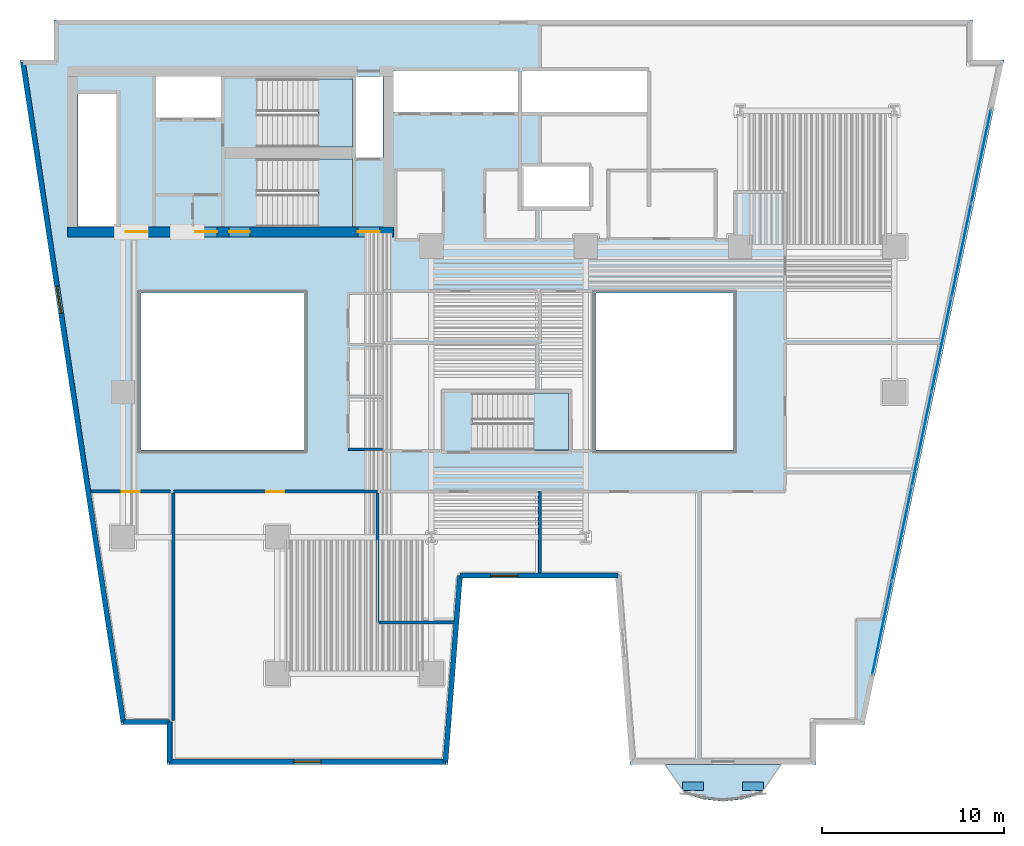
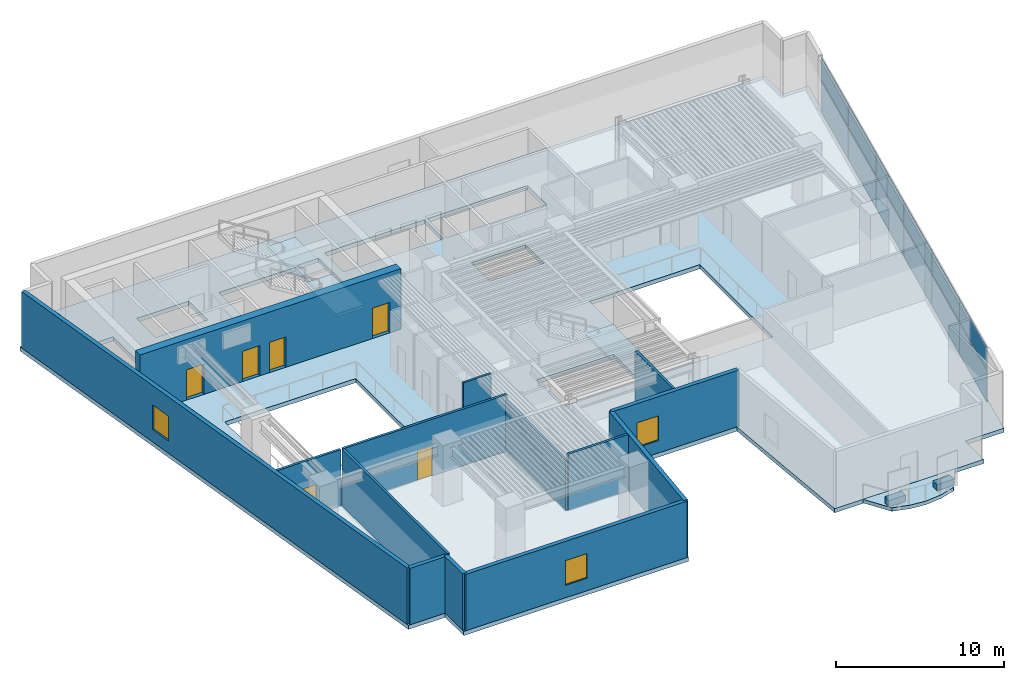
# One storey, part 3 of 11: 14 plates, 14 walls, 6 doors, 5 slabs, 3 windows, 9 openings, 4 elements without a shape of their own.
"""IFC4 building model written with IfcOpenShell, lengths in metres."""

from ifc_helpers import new_model, si_unit, direction, frame, frame_2d, origin, origin_2d, place, context, subcontext, project, spatial, polyline, rectangle, outline, extrude, material, layer, layer_set, type_object, element, fill, aggregate, save


model = new_model("IFC4")

# Units and contexts
model_context = context("Model", 3, precision=1e-05, world=origin(), true_north=direction((0.0, 1.0)))
body_context = subcontext(model_context, "Body", "Model", "MODEL_VIEW")
ifc_project = project(units=[si_unit("LENGTHUNIT", "METRE"), si_unit("AREAUNIT", "SQUARE_METRE"), si_unit("VOLUMEUNIT", "CUBIC_METRE"), si_unit("PLANEANGLEUNIT", "RADIAN"), si_unit("MASSUNIT", "GRAM", prefix="KILO")], contexts=[model_context])

# Site, building, storey
site_placement = place(None, origin())
site = spatial("IfcSite", under=ifc_project, at=site_placement, CompositionType="ELEMENT")
building_placement = place(site_placement, origin())
building = spatial("IfcBuilding", under=site, at=building_placement, Name="Caeloran Harvest Quay", CompositionType="ELEMENT")
storey_placement = place(building_placement, frame((0.0, 0.0, 53.39990234375)))
storey = spatial("IfcBuildingStorey", under=building, at=storey_placement, Name="L12", CompositionType="ELEMENT", Elevation=53.39990234375)

# Slab
ifc_material_1 = material(Name="Concrete C50/60", Category="concrete")
ifc_layer_1 = layer(ifc_material_1, 0.260009765625, Name="Concrete C50/60")
ifc_layer_set_1 = layer_set([ifc_layer_1], Name="Concrete C50/60")
slab_type_1 = type_object("IfcSlabType", Name="BALCONY-BL-260", PredefinedType="FLOOR", material=ifc_layer_set_1)
slab_1_placement = place(storey_placement, frame((0.0, 0.0, -0.260009765625)))
element("IfcSlab", 1, at=slab_1_placement, inside=storey, type_object=slab_type_1, Name="L12 Scalloped Cantilevered Planted Balcony Slab", PredefinedType="FLOOR", context=body_context, shape_type="SweptSolid", body=[
    extrude(outline(polyline([(43.686767578125, 0.876708984375), (42.622802734375, 0.573974609375), (41.55859375, 0.463134765625), (40.494384765625, 0.573974609375), (39.43017578125, 0.876708984375), (38.37890625, 2.5), (44.738037109375, 2.5), (43.686767578125, 0.876708984375)])), origin(), (0.0, 0.0, 1.0), 0.260009765625),
])

# Curtain wall, plates
ifc_material_2 = material(Name="Aluminium 6063-T6 and Low-E Glazing", Category="aluminium")
ifc_layer_2 = layer(ifc_material_2, 0.199951171875, Name="Aluminium 6063-T6 and Low-E Glazing")
ifc_layer_set_2 = layer_set([ifc_layer_2], Name="Aluminium 6063-T6 and Low-E Glazing")
curtain_wall_type = type_object("IfcCurtainWallType", Name="CW-SYS-CW-2", PredefinedType="USERDEFINED", material=ifc_layer_set_2)
curtain_wall_placement = place(storey_placement, origin())
curtain_wall = element("IfcCurtainWall", 2, at=curtain_wall_placement, inside=storey, type_object=curtain_wall_type, Name="L12 Unitised Curtain Wall CW-2 Run 9", ObjectType="CURTAIN_WALL", PredefinedType="USERDEFINED")
ifc_material_3 = material(Name="Low-E Double Glazed Vision Glass Unit", Category="glass")
ifc_layer_3 = layer(ifc_material_3, 0.035888671875, Name="Low-E Double Glazed Vision Glass Unit")
ifc_layer_set_3 = layer_set([ifc_layer_3], Name="Low-E Double Glazed Vision Glass Unit")
plate_type_1 = type_object("IfcPlateType", Name="CW-VISION-PANEL", PredefinedType="CURTAIN_PANEL", material=ifc_layer_set_3)
plate_1_placement = place(storey_placement, frame((55.780029296875, 35.993408203125, 0.080078125), z_axis=(0.0, 0.0, 1.0), x_axis=(-0.205582960081, -0.978639691881, 0.0)))
plate_1 = element("IfcPlate", 3, at=plate_1_placement, type_object=plate_type_1, Name="CW-2 panel 1.1", PredefinedType="CURTAIN_PANEL", context=body_context, shape_type="SweptSolid", body=[
    extrude(rectangle(XDim=5.19873046875, YDim=0.035888671875, at=origin_2d()), origin(), (0.0, 0.0, 1.0), 2.280029296875),
])
plate_2_placement = place(storey_placement, frame((55.780029296875, 35.993408203125, 2.43994140625), z_axis=(0.0, 0.0, 1.0), x_axis=(-0.205582960081, -0.978639691881, 0.0)))
plate_2 = element("IfcPlate", 4, at=plate_2_placement, type_object=plate_type_1, Name="CW-2 panel 1.2", PredefinedType="CURTAIN_PANEL", context=body_context, shape_type="SweptSolid", body=[
    extrude(rectangle(XDim=5.19873046875, YDim=0.035888671875, at=origin_2d()), origin(), (0.0, 0.0, 1.0), 1.580078125),
])
plate_3_placement = place(storey_placement, frame((54.690673828125, 30.807861328125, 0.080078125), z_axis=(0.0, 0.0, 1.0), x_axis=(-0.205582960081, -0.978639691881, 0.0)))
plate_3 = element("IfcPlate", 5, at=plate_3_placement, type_object=plate_type_1, Name="CW-2 panel 2.1", PredefinedType="CURTAIN_PANEL", context=body_context, shape_type="SweptSolid", body=[
    extrude(rectangle(XDim=5.23876953125, YDim=0.035888671875, at=origin_2d()), origin(), (0.0, 0.0, 1.0), 2.280029296875),
])
plate_4_placement = place(storey_placement, frame((54.690673828125, 30.807861328125, 2.43994140625), z_axis=(0.0, 0.0, 1.0), x_axis=(-0.205582960081, -0.978639691881, 0.0)))
plate_4 = element("IfcPlate", 6, at=plate_4_placement, type_object=plate_type_1, Name="CW-2 panel 2.2", PredefinedType="CURTAIN_PANEL", context=body_context, shape_type="SweptSolid", body=[
    extrude(rectangle(XDim=5.23876953125, YDim=0.035888671875, at=origin_2d()), origin(), (0.0, 0.0, 1.0), 1.580078125),
])
plate_5_placement = place(storey_placement, frame((53.59716796875, 25.6025390625, 0.080078125), z_axis=(0.0, 0.0, 1.0), x_axis=(-0.205582960081, -0.978639691881, 0.0)))
plate_5 = element("IfcPlate", 7, at=plate_5_placement, type_object=plate_type_1, Name="CW-2 panel 3.1", PredefinedType="CURTAIN_PANEL", context=body_context, shape_type="SweptSolid", body=[
    extrude(rectangle(XDim=5.23876953125, YDim=0.035888671875, at=origin_2d()), origin(), (0.0, 0.0, 1.0), 2.280029296875),
])
plate_6_placement = place(storey_placement, frame((53.59716796875, 25.6025390625, 2.43994140625), z_axis=(0.0, 0.0, 1.0), x_axis=(-0.205582960081, -0.978639691881, 0.0)))
plate_6 = element("IfcPlate", 8, at=plate_6_placement, type_object=plate_type_1, Name="CW-2 panel 3.2", PredefinedType="CURTAIN_PANEL", context=body_context, shape_type="SweptSolid", body=[
    extrude(rectangle(XDim=5.23876953125, YDim=0.035888671875, at=origin_2d()), origin(), (0.0, 0.0, 1.0), 1.580078125),
])
plate_7_placement = place(storey_placement, frame((52.503662109375, 20.3974609375, 0.080078125), z_axis=(0.0, 0.0, 1.0), x_axis=(-0.205582960081, -0.978639691881, 0.0)))
plate_7 = element("IfcPlate", 9, at=plate_7_placement, type_object=plate_type_1, Name="CW-2 panel 4.1", PredefinedType="CURTAIN_PANEL", context=body_context, shape_type="SweptSolid", body=[
    extrude(rectangle(XDim=5.23876953125, YDim=0.035888671875, at=origin_2d()), origin(), (0.0, 0.0, 1.0), 2.280029296875),
])
plate_8_placement = place(storey_placement, frame((52.503662109375, 20.3974609375, 2.43994140625), z_axis=(0.0, 0.0, 1.0), x_axis=(-0.205582960081, -0.978639691881, 0.0)))
plate_8 = element("IfcPlate", 10, at=plate_8_placement, type_object=plate_type_1, Name="CW-2 panel 4.2", PredefinedType="CURTAIN_PANEL", context=body_context, shape_type="SweptSolid", body=[
    extrude(rectangle(XDim=5.23876953125, YDim=0.035888671875, at=origin_2d()), origin(), (0.0, 0.0, 1.0), 1.580078125),
])
plate_9_placement = place(storey_placement, frame((51.41015625, 15.192138671875, 0.080078125), z_axis=(0.0, 0.0, 1.0), x_axis=(-0.205582960081, -0.978639691881, 0.0)))
plate_9 = element("IfcPlate", 11, at=plate_9_placement, type_object=plate_type_1, Name="CW-2 panel 5.1", PredefinedType="CURTAIN_PANEL", context=body_context, shape_type="SweptSolid", body=[
    extrude(rectangle(XDim=5.23876953125, YDim=0.035888671875, at=origin_2d()), origin(), (0.0, 0.0, 1.0), 2.280029296875),
])
plate_10_placement = place(storey_placement, frame((51.41015625, 15.192138671875, 2.43994140625), z_axis=(0.0, 0.0, 1.0), x_axis=(-0.205582960081, -0.978639691881, 0.0)))
plate_10 = element("IfcPlate", 12, at=plate_10_placement, type_object=plate_type_1, Name="CW-2 panel 5.2", PredefinedType="CURTAIN_PANEL", context=body_context, shape_type="SweptSolid", body=[
    extrude(rectangle(XDim=5.23876953125, YDim=0.035888671875, at=origin_2d()), origin(), (0.0, 0.0, 1.0), 1.580078125),
])
plate_11_placement = place(storey_placement, frame((50.321044921875, 10.006591796875, 0.080078125), z_axis=(0.0, 0.0, 1.0), x_axis=(-0.205582960081, -0.978639691881, 0.0)))
plate_11 = element("IfcPlate", 13, at=plate_11_placement, type_object=plate_type_1, Name="CW-2 panel 6.1", PredefinedType="CURTAIN_PANEL", context=body_context, shape_type="SweptSolid", body=[
    extrude(rectangle(XDim=5.19873046875, YDim=0.035888671875, at=origin_2d()), origin(), (0.0, 0.0, 1.0), 2.280029296875),
])
plate_12_placement = place(storey_placement, frame((50.321044921875, 10.006591796875, 2.43994140625), z_axis=(0.0, 0.0, 1.0), x_axis=(-0.205582960081, -0.978639691881, 0.0)))
plate_12 = element("IfcPlate", 14, at=plate_12_placement, type_object=plate_type_1, Name="CW-2 panel 6.2", PredefinedType="CURTAIN_PANEL", context=body_context, shape_type="SweptSolid", body=[
    extrude(rectangle(XDim=5.19873046875, YDim=0.035888671875, at=origin_2d()), origin(), (0.0, 0.0, 1.0), 1.580078125),
])
aggregate(curtain_wall, [plate_1, plate_2, plate_3, plate_4, plate_5, plate_6, plate_7, plate_8, plate_9, plate_10, plate_11, plate_12])

# Plates
ifc_material_4 = material(Name="Precast concrete C50/60", Category="concrete")
ifc_layer_4 = layer(ifc_material_4, 0.449951171875, Name="Precast concrete C50/60")
ifc_layer_set_4 = layer_set([ifc_layer_4], Name="Precast concrete C50/60")
plate_type_2 = type_object("IfcPlateType", Name="PLANTER-TROUGH-450", PredefinedType="USERDEFINED", material=ifc_layer_set_4)
for number, where, z_axis, x_axis, name in (
    (15, (43.218505859375, 1.290283203125, 0.0), (0.0, 0.0, 1.0), (1.0, 0.0, 0.0), "L12 Balcony Vertical-Greenery Precast PLANTER Trough 1"),
    (16, (39.8984375, 1.290283203125, 0.0), (0.0, 0.0, 1.0), (1.0, 0.0, 0.0), "L12 Balcony Vertical-Greenery Precast PLANTER Trough 2"),
):
    element("IfcPlate", number, at=place(storey_placement, frame(where, z_axis=z_axis, x_axis=x_axis)), inside=storey, type_object=plate_type_2, Name=name, ObjectType="PLANTER", PredefinedType="USERDEFINED", context=body_context, shape_type="SweptSolid", body=[
        extrude(rectangle(XDim=1.14990234375, YDim=0.47998046875, at=origin_2d()), origin(), (0.0, 0.0, 1.0), 0.449951171875),
    ])

# Slab
ifc_layer_5 = layer(ifc_material_1, 0.300048828125, Name="Concrete C50/60")
ifc_layer_set_5 = layer_set([ifc_layer_5], Name="Concrete C50/60")
slab_type_2 = type_object("IfcSlabType", Name="SLAB-FS-300", PredefinedType="FLOOR", material=ifc_layer_set_5)
slab_2_placement = place(storey_placement, frame((0.0, 0.0, -0.2998046875)))
element("IfcSlab", 17, at=slab_2_placement, inside=storey, type_object=slab_type_2, Name="L12 Structural Floor Slab", PredefinedType="FLOOR", context=body_context, shape_type="SweptSolid", body=[
    extrude(outline(polyline([(10.93701171875, 2.5), (26.403076171875, 2.5), (27.202880859375, 12.75), (35.640380859375, 12.75), (36.4404296875, 2.5), (46.68701171875, 2.5), (46.68701171875, 4.699951171875), (49.34912109375, 4.699951171875), (57.037841796875, 41.300048828125), (55.300048828125, 41.300048828125), (55.300048828125, 43.5), (4.699951171875, 43.5), (4.699951171875, 41.300048828125), (2.834716796875, 41.300048828125), (8.40234375, 4.699951171875), (10.93701171875, 4.699951171875), (10.93701171875, 2.5)]), holes=[polyline([(18.5, 19.800048828125), (9.5, 19.800048828125), (9.5, 28.449951171875), (18.5, 28.449951171875), (18.5, 19.800048828125)]), polyline([(15.89990234375, 32.10009765625), (15.89990234375, 35.85009765625), (21.14990234375, 35.85009765625), (21.14990234375, 32.10009765625), (15.89990234375, 32.10009765625)]), polyline([(8.159912109375, 32.1201171875), (6.02001953125, 32.1201171875), (6.02001953125, 39.419921875), (8.159912109375, 39.419921875), (8.159912109375, 32.1201171875)]), polyline([(21.35009765625, 35.919921875), (21.35009765625, 40.3798828125), (22.830078125, 40.3798828125), (22.830078125, 35.919921875), (21.35009765625, 35.919921875)]), polyline([(15.89990234375, 40.25), (21.14990234375, 40.25), (21.14990234375, 36.5), (15.89990234375, 36.5), (15.89990234375, 40.25)]), polyline([(13.89990234375, 38.1201171875), (10.320068359375, 38.1201171875), (10.320068359375, 40.3798828125), (13.89990234375, 40.3798828125), (13.89990234375, 38.1201171875)]), polyline([(27.75, 22.949951171875), (33.050048828125, 22.949951171875), (33.050048828125, 19.800048828125), (27.75, 19.800048828125), (27.75, 22.949951171875)]), polyline([(34.550048828125, 19.800048828125), (34.550048828125, 28.449951171875), (42.14990234375, 28.449951171875), (42.14990234375, 19.800048828125), (34.550048828125, 19.800048828125)]), polyline([(34.199951171875, 33.219970703125), (30.47998046875, 33.219970703125), (30.47998046875, 35.429931640625), (34.199951171875, 35.429931640625), (34.199951171875, 33.219970703125)]), polyline([(23.419921875, 38.419921875), (23.419921875, 40.679931640625), (30.280029296875, 40.679931640625), (30.280029296875, 38.419921875), (23.419921875, 38.419921875)]), polyline([(30.47998046875, 38.419921875), (30.47998046875, 40.679931640625), (37.3798828125, 40.679931640625), (37.3798828125, 38.419921875), (30.47998046875, 38.419921875)])]), origin(), (0.0, 0.0, 1.0), 0.2998046875),
])

# Stair, slab
stair_type_1 = type_object("IfcStairType", Name="STAIR-STC-180", PredefinedType="HALF_TURN_STAIR", material=ifc_material_1)
stair_1_placement = place(storey_placement, origin())
stair_1 = element("IfcStair", 18, at=stair_1_placement, inside=storey, type_object=stair_type_1, Name="L12 Core Pressurized Exit Stair ST-C1", PredefinedType="HALF_TURN_STAIR")
ifc_layer_6 = layer(ifc_material_1, 0.219970703125, Name="Concrete C50/60")
ifc_layer_set_6 = layer_set([ifc_layer_6], Name="Concrete C50/60")
slab_type_3 = type_object("IfcSlabType", Name="STAIR-LANDING-220", PredefinedType="LANDING", material=ifc_layer_set_6)
slab_3_placement = place(storey_placement, frame((0.0, 0.0, 2.0)))
slab_3 = element("IfcSlab", 19, at=slab_3_placement, type_object=slab_type_3, Name="ST-C1 landing 1", PredefinedType="LANDING", context=body_context, shape_type="SweptSolid", body=[
    extrude(outline(polyline([(19.260009765625, 36.5), (21.14990234375, 36.5), (21.14990234375, 40.25), (19.260009765625, 40.25), (19.260009765625, 36.5)])), origin(), (0.0, 0.0, 1.0), 0.2001953125),
])
aggregate(stair_1, [slab_3])

stair_2_placement = place(storey_placement, origin())
stair_2 = element("IfcStair", 20, at=stair_2_placement, inside=storey, type_object=stair_type_1, Name="L12 Core Pressurized Exit Stair ST-C2", PredefinedType="HALF_TURN_STAIR")
slab_4_placement = place(storey_placement, frame((0.0, 0.0, 2.0)))
slab_4 = element("IfcSlab", 21, at=slab_4_placement, type_object=slab_type_3, Name="ST-C2 landing 1", PredefinedType="LANDING", context=body_context, shape_type="SweptSolid", body=[
    extrude(outline(polyline([(19.260009765625, 32.10009765625), (21.14990234375, 32.10009765625), (21.14990234375, 35.85009765625), (19.260009765625, 35.85009765625), (19.260009765625, 32.10009765625)])), origin(), (0.0, 0.0, 1.0), 0.2001953125),
])
aggregate(stair_2, [slab_4])

stair_type_2 = type_object("IfcStairType", Name="STAIR-STW-150", PredefinedType="HALF_TURN_STAIR", material=ifc_material_1)
stair_3_placement = place(storey_placement, origin())
stair_3 = element("IfcStair", 22, at=stair_3_placement, inside=storey, type_object=stair_type_2, Name="L12 East Wing Protected Exit Stair ST-W1", PredefinedType="HALF_TURN_STAIR")
slab_5_placement = place(storey_placement, frame((0.0, 0.0, 2.0)))
slab_5 = element("IfcSlab", 23, at=slab_5_placement, type_object=slab_type_3, Name="ST-W1 landing 1", PredefinedType="LANDING", context=body_context, shape_type="SweptSolid", body=[
    extrude(outline(polyline([(31.110107421875, 19.800048828125), (33.050048828125, 19.800048828125), (33.050048828125, 22.949951171875), (31.110107421875, 22.949951171875), (31.110107421875, 19.800048828125)])), origin(), (0.0, 0.0, 1.0), 0.2001953125),
])
aggregate(stair_3, [slab_5])

# Walls
ifc_layer_7 = layer(ifc_material_4, 0.280029296875, Name="Precast concrete C50/60")
ifc_layer_set_7 = layer_set([ifc_layer_7], Name="Precast concrete C50/60")
wall_type_1 = type_object("IfcWallType", Name="ENV-WALL-EW-280", PredefinedType="STANDARD", material=ifc_layer_set_7)
wall_1_placement = place(storey_placement, frame((11.076904296875, 2.639892578125, 0.0), z_axis=(0.0, 0.0, 1.0), x_axis=(0.0, 1.0, 0.0)))
element("IfcWall", 24, at=wall_1_placement, inside=storey, type_object=wall_type_1, Name="L12 Exterior Precast Concrete Facade Wall 1", PredefinedType="STANDARD", context=body_context, shape_type="SweptSolid", body=[
    extrude(rectangle(XDim=2.2001953125, YDim=0.280029296875, at=frame_2d((1.10009765625, 0.0))), origin(), (0.0, 0.0, 1.0), 4.10009765625),
])
wall_2_placement = place(storey_placement, frame((11.076904296875, 4.840087890625, 0.0), z_axis=(0.0, 0.0, 1.0), x_axis=(-1.0, 0.0, 0.0)))
element("IfcWall", 25, at=wall_2_placement, inside=storey, type_object=wall_type_1, Name="L12 Exterior Precast Concrete Facade Wall 2", PredefinedType="STANDARD", context=body_context, shape_type="SweptSolid", body=[
    extrude(rectangle(XDim=2.55419921875, YDim=0.280029296875, at=frame_2d((1.277099609375, 0.0))), origin(), (0.0, 0.0, 1.0), 4.10009765625),
])

# Wall, opening, window
wall_3_placement = place(storey_placement, frame((8.522705078125, 4.840087890625, 0.0), z_axis=(0.0, 0.0, 1.0), x_axis=(-0.150394554312, 0.988626055712, 0.0)))
wall_3 = element("IfcWall", 26, at=wall_3_placement, inside=storey, type_object=wall_type_1, Name="L12 Exterior Precast Concrete Facade Wall 3", PredefinedType="STANDARD", context=body_context, shape_type="SweptSolid", body=[
    extrude(rectangle(XDim=36.73779296875, YDim=0.280029296875, at=frame_2d((18.368896484375, 0.0))), origin(), (0.0, 0.0, 1.0), 4.10009765625),
])
opening_1_placement = place(wall_3_placement, frame((22.761962890625, 0.0, 0.89990234375)))
opening_1 = element("IfcOpeningElement", 27, at=opening_1_placement, cuts=wall_3, Name="Opening W-03", PredefinedType="OPENING", context=body_context, shape_type="SweptSolid", body=[
    extrude(rectangle(XDim=1.5, YDim=1.800048828125, at=frame_2d((0.75, 0.89990234375))), frame((0.0, 0.14990234375, 0.0), z_axis=(0.0, -1.0, 0.0), x_axis=(1.0, 0.0, 0.0)), (0.0, 0.0, 1.0), 0.300048828125),
])
ifc_material_5 = material(Name="Aluminium-Framed Low-E Laminated Glass", Category="aluminium")
window_type = type_object("IfcWindowType", Name="WIN-W-03", PartitioningType="SINGLE_PANEL", PredefinedType="WINDOW", material=ifc_material_5)
window_1_placement = place(opening_1_placement, origin())
window_1 = element("IfcWindow", 28, at=window_1_placement, inside=storey, type_object=window_type, Name="L12 Facade Punched Window W-03", OverallHeight=1.800048828125, OverallWidth=1.5, PartitioningType="SINGLE_PANEL", PredefinedType="WINDOW", context=body_context, shape_type="SweptSolid", body=[
    extrude(rectangle(XDim=1.5, YDim=1.800048828125, at=frame_2d((0.75, 0.89990234375))), frame((0.0, 0.030029296875, 0.0), z_axis=(0.0, -1.0, 0.0), x_axis=(1.0, 0.0, 0.0)), (0.0, 0.0, 1.0), 0.06005859375),
])
fill(opening_1, window_1)

wall_4_placement = place(storey_placement, frame((35.77001953125, 12.889892578125, 0.0), z_axis=(0.0, 0.0, 1.0), x_axis=(-1.0, 0.0, 0.0)))
wall_4 = element("IfcWall", 29, at=wall_4_placement, inside=storey, type_object=wall_type_1, Name="L12 Exterior Precast Concrete Facade Wall 14", PredefinedType="STANDARD", context=body_context, shape_type="SweptSolid", body=[
    extrude(rectangle(XDim=8.696533203125, YDim=0.280029296875, at=frame_2d((4.34814453125, 0.0))), origin(), (0.0, 0.0, 1.0), 4.10009765625),
])
opening_2_placement = place(wall_4_placement, frame((5.510986328125, 0.0, 0.89990234375)))
opening_2 = element("IfcOpeningElement", 30, at=opening_2_placement, cuts=wall_4, Name="Opening W-03", PredefinedType="OPENING", context=body_context, shape_type="SweptSolid", body=[
    extrude(rectangle(XDim=1.5, YDim=1.800048828125, at=frame_2d((0.75, 0.89990234375))), frame((0.0, 0.14990234375, 0.0), z_axis=(0.0, -1.0, 0.0), x_axis=(1.0, 0.0, 0.0)), (0.0, 0.0, 1.0), 0.300048828125),
])
window_2_placement = place(opening_2_placement, origin())
window_2 = element("IfcWindow", 31, at=window_2_placement, inside=storey, type_object=window_type, Name="L12 Facade Punched Window W-03", OverallHeight=1.800048828125, OverallWidth=1.5, PartitioningType="SINGLE_PANEL", PredefinedType="WINDOW", context=body_context, shape_type="SweptSolid", body=[
    extrude(rectangle(XDim=1.5, YDim=1.800048828125, at=frame_2d((0.75, 0.89990234375))), frame((0.0, 0.030029296875, 0.0), z_axis=(0.0, -1.0, 0.0), x_axis=(1.0, 0.0, 0.0)), (0.0, 0.0, 1.0), 0.06005859375),
])
fill(opening_2, window_2)

# Wall
wall_5_placement = place(storey_placement, frame((27.073486328125, 12.889892578125, 0.0), z_axis=(0.0, 0.0, 1.0), x_axis=(-0.077816860153, -0.996967670627, 0.0)))
element("IfcWall", 32, at=wall_5_placement, inside=storey, type_object=wall_type_1, Name="L12 Exterior Precast Concrete Facade Wall 15", PredefinedType="STANDARD", context=body_context, shape_type="SweptSolid", body=[
    extrude(rectangle(XDim=10.28125, YDim=0.280029296875, at=frame_2d((5.140625, 0.0))), origin(), (0.0, 0.0, 1.0), 4.10009765625),
])

# Wall, opening, window
wall_6_placement = place(storey_placement, frame((26.2734375, 2.639892578125, 0.0), z_axis=(0.0, 0.0, 1.0), x_axis=(-1.0, 0.0, 0.0)))
wall_6 = element("IfcWall", 33, at=wall_6_placement, inside=storey, type_object=wall_type_1, Name="L12 Exterior Precast Concrete Facade Wall 16", PredefinedType="STANDARD", context=body_context, shape_type="SweptSolid", body=[
    extrude(rectangle(XDim=15.196533203125, YDim=0.280029296875, at=frame_2d((7.59814453125, 0.0))), origin(), (0.0, 0.0, 1.0), 4.10009765625),
])
opening_3_placement = place(wall_6_placement, frame((6.847900390625, 0.0, 0.89990234375)))
opening_3 = element("IfcOpeningElement", 34, at=opening_3_placement, cuts=wall_6, Name="Opening W-03", PredefinedType="OPENING", context=body_context, shape_type="SweptSolid", body=[
    extrude(rectangle(XDim=1.5, YDim=1.800048828125, at=frame_2d((0.75, 0.89990234375))), frame((0.0, 0.14990234375, 0.0), z_axis=(0.0, -1.0, 0.0), x_axis=(1.0, 0.0, 0.0)), (0.0, 0.0, 1.0), 0.300048828125),
])
window_3_placement = place(opening_3_placement, origin())
window_3 = element("IfcWindow", 35, at=window_3_placement, inside=storey, type_object=window_type, Name="L12 Facade Punched Window W-03", OverallHeight=1.800048828125, OverallWidth=1.5, PartitioningType="SINGLE_PANEL", PredefinedType="WINDOW", context=body_context, shape_type="SweptSolid", body=[
    extrude(rectangle(XDim=1.5, YDim=1.800048828125, at=frame_2d((0.75, 0.89990234375))), frame((0.0, 0.030029296875, 0.0), z_axis=(0.0, -1.0, 0.0), x_axis=(1.0, 0.0, 0.0)), (0.0, 0.0, 1.0), 0.06005859375),
])
fill(opening_3, window_3)

# Wall
ifc_material_6 = material(Name="Moisture-Resistant Cement-Board Sanitary Partition", Category="gypsum")
ifc_layer_8 = layer(ifc_material_6, 0.139892578125, Name="Moisture-Resistant Cement-Board Sanitary Partition")
ifc_layer_set_8 = layer_set([ifc_layer_8], Name="Moisture-Resistant Cement-Board Sanitary Partition")
wall_type_2 = type_object("IfcWallType", Name="INT-WALL-PW-140", PredefinedType="PARTITIONING", material=ifc_layer_set_8)
wall_7_placement = place(storey_placement, frame((22.800048828125, 19.85009765625, 0.0), z_axis=(0.0, 0.0, 1.0), x_axis=(-1.0, 0.0, 0.0)))
element("IfcWall", 36, at=wall_7_placement, inside=storey, type_object=wall_type_2, Name="L12 Accessible Unisex Washroom WC Partition Wall", PredefinedType="PARTITIONING", context=body_context, shape_type="SweptSolid", body=[
    extrude(rectangle(XDim=1.89013671875, YDim=0.139892578125, at=frame_2d((0.945068359375, 0.0))), origin(), (0.0, 0.0, 1.0), 4.10009765625),
])

# Wall, opening, door
ifc_material_7 = material(Name="Autoclaved Aerated Concrete Blockwork", Category="masonry")
ifc_layer_9 = layer(ifc_material_7, 0.1650390625, Name="Autoclaved Aerated Concrete Blockwork")
ifc_layer_set_9 = layer_set([ifc_layer_9], Name="Autoclaved Aerated Concrete Blockwork")
wall_type_3 = type_object("IfcWallType", Name="INT-WALL-PW-165", PredefinedType="PARTITIONING", material=ifc_layer_set_9)
wall_8_placement = place(storey_placement, frame((11.280029296875, 17.52001953125, 0.0), z_axis=(0.0, 0.0, 1.0), x_axis=(1.0, 0.0, 0.0)))
wall_8 = element("IfcWall", 37, at=wall_8_placement, inside=storey, type_object=wall_type_3, Name="Fermented Botanical Kitchen Partition Wall", PredefinedType="PARTITIONING", context=body_context, shape_type="SweptSolid", body=[
    extrude(rectangle(XDim=11.239990234375, YDim=0.1650390625, at=frame_2d((5.6201171875, 0.0))), origin(), (0.0, 0.0, 1.0), 4.10009765625),
])
opening_4_placement = place(wall_8_placement, frame((5.1201171875, 0.0, 0.0)))
opening_4 = element("IfcOpeningElement", 38, at=opening_4_placement, cuts=wall_8, Name="Opening ID-01", PredefinedType="OPENING", context=body_context, shape_type="SweptSolid", body=[
    extrude(rectangle(XDim=1.0, YDim=2.14990234375, at=frame_2d((0.5, 1.074951171875))), frame((0.0, 0.092529296875, 0.0), z_axis=(0.0, -1.0, 0.0), x_axis=(1.0, 0.0, 0.0)), (0.0, 0.0, 1.0), 0.18505859375),
])
ifc_material_8 = material(Name="FSC Solid-Core Ash Timber and Acoustic Seal", Category="wood")
door_type_1 = type_object("IfcDoorType", Name="INTDOOR-ID-01", OperationType="NOTDEFINED", PredefinedType="DOOR", material=ifc_material_8)
door_1_placement = place(opening_4_placement, origin())
door_1 = element("IfcDoor", 39, at=door_1_placement, inside=storey, type_object=door_type_1, Name="Fermented Botanical Kitchen Access Door", OperationType="SINGLE_SWING_RIGHT", OverallHeight=2.14990234375, OverallWidth=1.0, PredefinedType="DOOR", context=body_context, shape_type="SweptSolid", body=[
    extrude(rectangle(XDim=1.0, YDim=2.14990234375, at=frame_2d((0.5, 1.074951171875))), frame((0.0, 0.02490234375, 0.0), z_axis=(0.0, -1.0, 0.0), x_axis=(1.0, 0.0, 0.0)), (0.0, 0.0, 1.0), 0.050048828125),
])
fill(opening_4, door_1)

# Walls
wall_9_placement = place(storey_placement, frame((22.52001953125, 17.4326171875, 0.0), z_axis=(0.0, 0.0, 1.0), x_axis=(0.0, -1.0, 0.0)))
element("IfcWall", 40, at=wall_9_placement, inside=storey, type_object=wall_type_3, Name="Fermented Botanical Kitchen Partition Wall", PredefinedType="PARTITIONING", context=body_context, shape_type="SweptSolid", body=[
    extrude(rectangle(XDim=7.112548828125, YDim=0.1650390625, at=frame_2d((3.55615234375, 0.0))), origin(), (0.0, 0.0, 1.0), 3.68505859375),
])
wall_10_placement = place(storey_placement, frame((22.607421875, 10.320068359375, 0.0), z_axis=(0.0, 0.0, 1.0), x_axis=(1.0, 0.0, 0.0)))
element("IfcWall", 41, at=wall_10_placement, inside=storey, type_object=wall_type_3, Name="Fermented Botanical Kitchen Partition Wall", PredefinedType="PARTITIONING", context=body_context, shape_type="SweptSolid", body=[
    extrude(rectangle(XDim=4.1201171875, YDim=0.1650390625, at=frame_2d((2.06005859375, 0.0))), origin(), (0.0, 0.0, 1.0), 4.10009765625),
])
wall_11_placement = place(storey_placement, frame((11.280029296875, 4.910400390625, 0.0), z_axis=(0.0, 0.0, 1.0), x_axis=(0.0, 1.0, 0.0)))
element("IfcWall", 42, at=wall_11_placement, inside=storey, type_object=wall_type_3, Name="Fermented Botanical Kitchen Partition Wall", PredefinedType="PARTITIONING", context=body_context, shape_type="SweptSolid", body=[
    extrude(rectangle(XDim=12.522216796875, YDim=0.1650390625, at=frame_2d((6.26123046875, 0.0))), origin(), (0.0, 0.0, 1.0), 4.10009765625),
])
wall_12_placement = place(storey_placement, frame((31.47998046875, 13.034912109375, 0.0), z_axis=(0.0, 0.0, 1.0), x_axis=(0.0, 1.0, 0.0)))
element("IfcWall", 43, at=wall_12_placement, inside=storey, type_object=wall_type_3, Name="Seedling Sensory Salon Lounge Partition Wall", PredefinedType="PARTITIONING", context=body_context, shape_type="SweptSolid", body=[
    extrude(rectangle(XDim=4.485107421875, YDim=0.1650390625, at=frame_2d((2.24267578125, 0.0))), origin(), (0.0, 0.0, 1.0), 4.10009765625),
])

# Wall, opening, door
wall_13_placement = place(storey_placement, frame((6.740478515625, 17.52001953125, 0.0), z_axis=(0.0, 0.0, 1.0), x_axis=(1.0, 0.0, 0.0)))
wall_13 = element("IfcWall", 44, at=wall_13_placement, inside=storey, type_object=wall_type_3, Name="Pollination Dining Lounge Partition Wall", PredefinedType="PARTITIONING", context=body_context, shape_type="SweptSolid", body=[
    extrude(rectangle(XDim=4.379638671875, YDim=0.1650390625, at=frame_2d((2.18994140625, 0.0))), origin(), (0.0, 0.0, 1.0), 4.10009765625),
])
opening_5_placement = place(wall_13_placement, frame((1.689697265625, 0.0, 0.0)))
opening_5 = element("IfcOpeningElement", 45, at=opening_5_placement, cuts=wall_13, Name="Opening ID-01", PredefinedType="OPENING", context=body_context, shape_type="SweptSolid", body=[
    extrude(rectangle(XDim=1.0, YDim=2.14990234375, at=frame_2d((0.5, 1.074951171875))), frame((0.0, 0.092529296875, 0.0), z_axis=(0.0, -1.0, 0.0), x_axis=(1.0, 0.0, 0.0)), (0.0, 0.0, 1.0), 0.18505859375),
])
door_2_placement = place(opening_5_placement, origin())
door_2 = element("IfcDoor", 46, at=door_2_placement, inside=storey, type_object=door_type_1, Name="Pollination Dining Lounge Access Door", OperationType="SINGLE_SWING_LEFT", OverallHeight=2.14990234375, OverallWidth=1.0, PredefinedType="DOOR", context=body_context, shape_type="SweptSolid", body=[
    extrude(rectangle(XDim=1.0, YDim=2.14990234375, at=frame_2d((0.5, 1.074951171875))), frame((0.0, 0.02490234375, 0.0), z_axis=(0.0, -1.0, 0.0), x_axis=(1.0, 0.0, 0.0)), (0.0, 0.0, 1.0), 0.050048828125),
])
fill(opening_5, door_2)

# Wall, openings, doors
ifc_material_9 = material(Name="Concrete C80/95", Category="concrete")
ifc_layer_10 = layer(ifc_material_9, 0.550048828125, Name="Concrete C80/95")
ifc_layer_set_10 = layer_set([ifc_layer_10], Name="Concrete C80/95")
wall_type_4 = type_object("IfcWallType", Name="STR-WALL-CW-550", PredefinedType="SHEAR", material=ifc_layer_set_10)
wall_14_placement = place(storey_placement, frame((5.449951171875, 31.824951171875, 0.0), z_axis=(0.0, 0.0, 1.0), x_axis=(1.0, 0.0, 0.0)))
wall_14 = element("IfcWall", 47, at=wall_14_placement, inside=storey, type_object=wall_type_4, Name="L12 Rear Core Shear Wall S", PredefinedType="SHEAR", context=body_context, shape_type="SweptSolid", body=[
    extrude(rectangle(XDim=17.949951171875, YDim=0.550048828125, at=frame_2d((8.97509765625, 0.0))), origin(), (0.0, 0.0, 1.0), 4.400146484375),
])
opening_6_placement = place(wall_14_placement, frame((3.199951171875, 0.0, 0.0)))
opening_6 = element("IfcOpeningElement", 48, at=opening_6_placement, cuts=wall_14, Name="Opening FD-01", PredefinedType="OPENING", context=body_context, shape_type="SweptSolid", body=[
    extrude(rectangle(XDim=1.199951171875, YDim=2.199951171875, at=frame_2d((0.60009765625, 1.10009765625))), frame((0.0, 0.28515625, 0.0), z_axis=(0.0, -1.0, 0.0), x_axis=(1.0, 0.0, 0.0)), (0.0, 0.0, 1.0), 0.570068359375),
])
opening_7_placement = place(wall_14_placement, frame((7.050048828125, 0.0, 0.0)))
opening_7 = element("IfcOpeningElement", 49, at=opening_7_placement, cuts=wall_14, Name="Opening FD-01", PredefinedType="OPENING", context=body_context, shape_type="SweptSolid", body=[
    extrude(rectangle(XDim=1.199951171875, YDim=2.199951171875, at=frame_2d((0.60009765625, 1.10009765625))), frame((0.0, 0.28515625, 0.0), z_axis=(0.0, -1.0, 0.0), x_axis=(1.0, 0.0, 0.0)), (0.0, 0.0, 1.0), 0.570068359375),
])
opening_8_placement = place(wall_14_placement, frame((8.89990234375, 0.0, 0.0)))
opening_8 = element("IfcOpeningElement", 50, at=opening_8_placement, cuts=wall_14, Name="Opening SD-01", PredefinedType="OPENING", context=body_context, shape_type="SweptSolid", body=[
    extrude(rectangle(XDim=1.14990234375, YDim=2.199951171875, at=frame_2d((0.574951171875, 1.10009765625))), frame((0.0, 0.28515625, 0.0), z_axis=(0.0, -1.0, 0.0), x_axis=(1.0, 0.0, 0.0)), (0.0, 0.0, 1.0), 0.570068359375),
])
opening_9_placement = place(wall_14_placement, frame((16.0, 0.0, 0.0)))
opening_9 = element("IfcOpeningElement", 51, at=opening_9_placement, cuts=wall_14, Name="Opening FD-01", PredefinedType="OPENING", context=body_context, shape_type="SweptSolid", body=[
    extrude(rectangle(XDim=1.199951171875, YDim=2.199951171875, at=frame_2d((0.60009765625, 1.10009765625))), frame((0.0, 0.28515625, 0.0), z_axis=(0.0, -1.0, 0.0), x_axis=(1.0, 0.0, 0.0)), (0.0, 0.0, 1.0), 0.570068359375),
])
ifc_material_10 = material(Name="Steel", Category="steel")
door_type_2 = type_object("IfcDoorType", Name="INTDOOR-FD-01", OperationType="NOTDEFINED", PredefinedType="DOOR", material=ifc_material_10)
door_3_placement = place(opening_6_placement, origin())
door_3 = element("IfcDoor", 52, at=door_3_placement, inside=storey, type_object=door_type_2, Name="L12 High-Rise Lift Lobby Fire Door", OperationType="SINGLE_SWING_RIGHT", OverallHeight=2.199951171875, OverallWidth=1.199951171875, PredefinedType="DOOR", context=body_context, shape_type="SweptSolid", body=[
    extrude(rectangle(XDim=1.199951171875, YDim=2.199951171875, at=frame_2d((0.60009765625, 1.10009765625))), frame((0.0, 0.02490234375, 0.0), z_axis=(0.0, -1.0, 0.0), x_axis=(1.0, 0.0, 0.0)), (0.0, 0.0, 1.0), 0.050048828125),
])
fill(opening_6, door_3)
door_4_placement = place(opening_7_placement, origin())
door_4 = element("IfcDoor", 53, at=door_4_placement, inside=storey, type_object=door_type_2, Name="L12 Firefighting Lobby Vestibule Fire Door", OperationType="SINGLE_SWING_LEFT", OverallHeight=2.199951171875, OverallWidth=1.199951171875, PredefinedType="DOOR", context=body_context, shape_type="SweptSolid", body=[
    extrude(rectangle(XDim=1.199951171875, YDim=2.199951171875, at=frame_2d((0.60009765625, 1.10009765625))), frame((0.0, 0.02490234375, 0.0), z_axis=(0.0, -1.0, 0.0), x_axis=(1.0, 0.0, 0.0)), (0.0, 0.0, 1.0), 0.050048828125),
])
fill(opening_7, door_4)
door_5_placement = place(opening_9_placement, origin())
door_5 = element("IfcDoor", 54, at=door_5_placement, inside=storey, type_object=door_type_2, Name="L12 Service Lift Lobby Fire Door", OperationType="SINGLE_SWING_LEFT", OverallHeight=2.199951171875, OverallWidth=1.199951171875, PredefinedType="DOOR", context=body_context, shape_type="SweptSolid", body=[
    extrude(rectangle(XDim=1.199951171875, YDim=2.199951171875, at=frame_2d((0.60009765625, 1.10009765625))), frame((0.0, 0.02490234375, 0.0), z_axis=(0.0, -1.0, 0.0), x_axis=(1.0, 0.0, 0.0)), (0.0, 0.0, 1.0), 0.050048828125),
])
fill(opening_9, door_5)
door_type_3 = type_object("IfcDoorType", Name="INTDOOR-SD-01", OperationType="NOTDEFINED", PredefinedType="DOOR", material=ifc_material_10)
door_6_placement = place(opening_8_placement, origin())
door_6 = element("IfcDoor", 55, at=door_6_placement, inside=storey, type_object=door_type_3, Name="L12 Protected Stair ST-C2 Exit Door", OperationType="SINGLE_SWING_RIGHT", OverallHeight=2.199951171875, OverallWidth=1.14990234375, PredefinedType="DOOR", context=body_context, shape_type="SweptSolid", body=[
    extrude(rectangle(XDim=1.14990234375, YDim=2.199951171875, at=frame_2d((0.574951171875, 1.10009765625))), frame((0.0, 0.02490234375, 0.0), z_axis=(0.0, -1.0, 0.0), x_axis=(1.0, 0.0, 0.0)), (0.0, 0.0, 1.0), 0.050048828125),
])
fill(opening_8, door_6)

save(model, "model.ifc")
